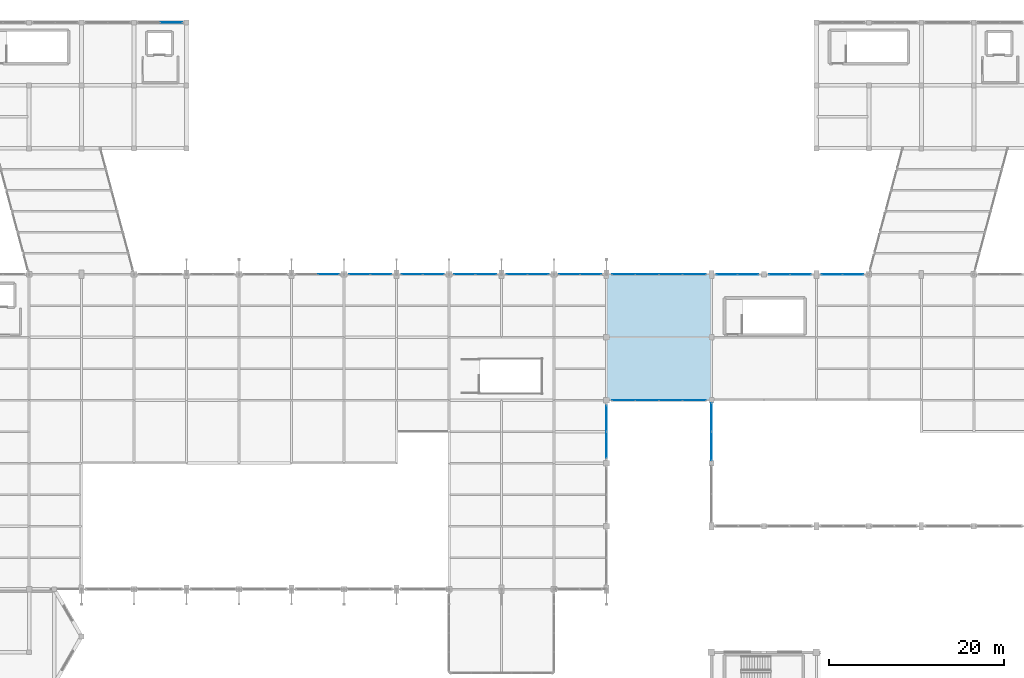
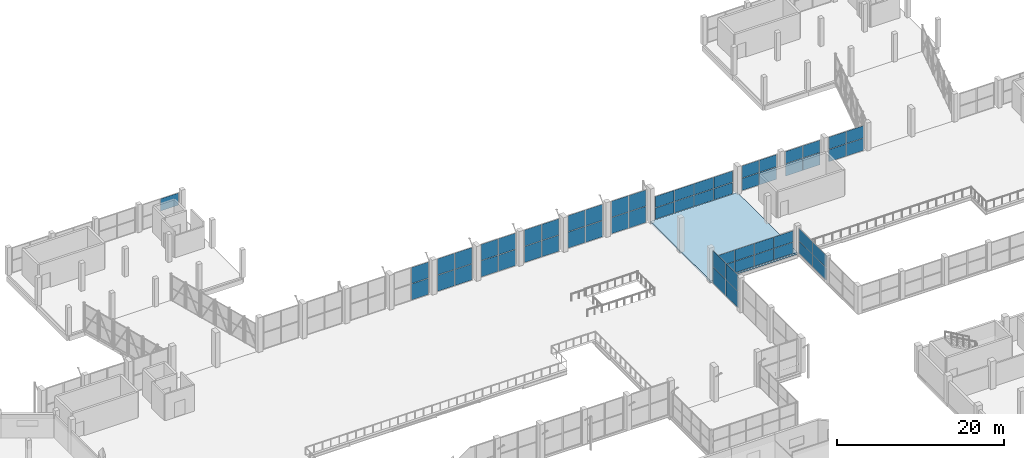
# One storey, part 97 of 127: 59 plates, 1 slab, 14 elements without a shape of their own.
"""IFC4 building model written with IfcOpenShell, lengths in metres."""

from ifc_helpers import new_model, si_unit, direction, frame, origin, origin_2d, place, context, subcontext, project, spatial, polyline, rectangle, outline, extrude, material, layer, layer_set, type_object, element, aggregate, save


model = new_model("IFC4")

# Units and contexts
model_context = context("Model", 3, precision=1e-05, world=origin(), true_north=direction((0.0, 1.0)))
body_context = subcontext(model_context, "Body", "Model", "MODEL_VIEW")
ifc_project = project(units=[si_unit("LENGTHUNIT", "METRE"), si_unit("AREAUNIT", "SQUARE_METRE"), si_unit("VOLUMEUNIT", "CUBIC_METRE"), si_unit("PLANEANGLEUNIT", "RADIAN"), si_unit("MASSUNIT", "GRAM", prefix="KILO")], contexts=[model_context])

# Site, building, storey
site_placement = place(None, origin())
site = spatial("IfcSite", under=ifc_project, at=site_placement, CompositionType="ELEMENT")
building_placement = place(site_placement, origin())
building = spatial("IfcBuilding", under=site, at=building_placement, Name="Dunvalen Ferry Terminal", CompositionType="ELEMENT")
storey_placement = place(building_placement, frame((0.0, 0.0, 5.760009765625)))
storey = spatial("IfcBuildingStorey", under=building, at=storey_placement, Name="L01", CompositionType="ELEMENT", Elevation=5.760009765625)

# Curtain wall, plates
ifc_material_1 = material(Name="Anodised marine aluminium and solar-control glazing", Category="aluminium")
ifc_layer_1 = layer(ifc_material_1, 0.219970703125, Name="Anodised marine aluminium and solar-control glazing")
ifc_layer_set_1 = layer_set([ifc_layer_1], Name="Anodised marine aluminium and solar-control glazing")
curtain_wall_type_1 = type_object("IfcCurtainWallType", Name="ENV-CW-SYS-02", PredefinedType="NOTDEFINED", material=ifc_layer_set_1)
curtain_wall_1_placement = place(storey_placement, origin())
curtain_wall_1 = element("IfcCurtainWall", 1, at=curtain_wall_1_placement, inside=storey, type_object=curtain_wall_type_1, Name="L01 Curtain Wall CW-V1N-L01-09", PredefinedType="NOTDEFINED")
ifc_material_2 = material(Name="Low-E solar-control laminated double glazing", Category="glass")
ifc_layer_2 = layer(ifc_material_2, 0.031982421875, Name="Low-E solar-control laminated double glazing")
ifc_layer_set_2 = layer_set([ifc_layer_2], Name="Low-E solar-control laminated double glazing")
plate_type_1 = type_object("IfcPlateType", Name="ENV-CW-PNL-2", PredefinedType="CURTAIN_PANEL", material=ifc_layer_set_2)
plate_1_placement = place(storey_placement, frame((64.205078125, 86.39990234375, 0.06005859375), z_axis=(0.0, 0.0, 1.0), x_axis=(1.0, 0.0, 0.0)))
plate_1 = element("IfcPlate", 2, at=plate_1_placement, type_object=plate_type_1, Name="CW-02 panel 2.1", PredefinedType="CURTAIN_PANEL", context=body_context, shape_type="SweptSolid", body=[
    extrude(rectangle(XDim=2.35009765625, YDim=0.031982421875, at=origin_2d()), origin(), (0.0, 0.0, 1.0), 2.340087890625),
])
plate_2_placement = place(storey_placement, frame((64.205078125, 86.39990234375, 2.4599609375), z_axis=(0.0, 0.0, 1.0), x_axis=(1.0, 0.0, 0.0)))
plate_2 = element("IfcPlate", 3, at=plate_2_placement, type_object=plate_type_1, Name="CW-02 panel 2.2", PredefinedType="CURTAIN_PANEL", context=body_context, shape_type="SweptSolid", body=[
    extrude(rectangle(XDim=2.35009765625, YDim=0.031982421875, at=origin_2d()), origin(), (0.0, 0.0, 1.0), 2.340087890625),
])
aggregate(curtain_wall_1, [plate_1, plate_2])

curtain_wall_2_placement = place(storey_placement, origin())
curtain_wall_2 = element("IfcCurtainWall", 4, at=curtain_wall_2_placement, inside=storey, type_object=curtain_wall_type_1, Name="L01 Curtain Wall CW-V1N-L01-10", PredefinedType="NOTDEFINED")
plate_3_placement = place(storey_placement, frame((67.794921875, 86.39990234375, 0.06005859375), z_axis=(0.0, 0.0, 1.0), x_axis=(1.0, 0.0, 0.0)))
plate_3 = element("IfcPlate", 5, at=plate_3_placement, type_object=plate_type_1, Name="CW-02 panel 1.1", PredefinedType="CURTAIN_PANEL", context=body_context, shape_type="SweptSolid", body=[
    extrude(rectangle(XDim=2.35009765625, YDim=0.031982421875, at=origin_2d()), origin(), (0.0, 0.0, 1.0), 2.340087890625),
])
plate_4_placement = place(storey_placement, frame((67.794921875, 86.39990234375, 2.4599609375), z_axis=(0.0, 0.0, 1.0), x_axis=(1.0, 0.0, 0.0)))
plate_4 = element("IfcPlate", 6, at=plate_4_placement, type_object=plate_type_1, Name="CW-02 panel 1.2", PredefinedType="CURTAIN_PANEL", context=body_context, shape_type="SweptSolid", body=[
    extrude(rectangle(XDim=2.35009765625, YDim=0.031982421875, at=origin_2d()), origin(), (0.0, 0.0, 1.0), 2.340087890625),
])
plate_5_placement = place(storey_placement, frame((70.205078125, 86.39990234375, 0.06005859375), z_axis=(0.0, 0.0, 1.0), x_axis=(1.0, 0.0, 0.0)))
plate_5 = element("IfcPlate", 7, at=plate_5_placement, type_object=plate_type_1, Name="CW-02 panel 2.1", PredefinedType="CURTAIN_PANEL", context=body_context, shape_type="SweptSolid", body=[
    extrude(rectangle(XDim=2.35009765625, YDim=0.031982421875, at=origin_2d()), origin(), (0.0, 0.0, 1.0), 2.340087890625),
])
plate_6_placement = place(storey_placement, frame((70.205078125, 86.39990234375, 2.4599609375), z_axis=(0.0, 0.0, 1.0), x_axis=(1.0, 0.0, 0.0)))
plate_6 = element("IfcPlate", 8, at=plate_6_placement, type_object=plate_type_1, Name="CW-02 panel 2.2", PredefinedType="CURTAIN_PANEL", context=body_context, shape_type="SweptSolid", body=[
    extrude(rectangle(XDim=2.35009765625, YDim=0.031982421875, at=origin_2d()), origin(), (0.0, 0.0, 1.0), 2.340087890625),
])
aggregate(curtain_wall_2, [plate_3, plate_4, plate_5, plate_6])

curtain_wall_3_placement = place(storey_placement, origin())
curtain_wall_3 = element("IfcCurtainWall", 9, at=curtain_wall_3_placement, inside=storey, type_object=curtain_wall_type_1, Name="L01 Curtain Wall CW-V1N-L01-11", PredefinedType="NOTDEFINED")
plate_7_placement = place(storey_placement, frame((73.794921875, 86.39990234375, 0.06005859375), z_axis=(0.0, 0.0, 1.0), x_axis=(1.0, 0.0, 0.0)))
plate_7 = element("IfcPlate", 10, at=plate_7_placement, type_object=plate_type_1, Name="CW-02 panel 1.1", PredefinedType="CURTAIN_PANEL", context=body_context, shape_type="SweptSolid", body=[
    extrude(rectangle(XDim=2.35009765625, YDim=0.031982421875, at=origin_2d()), origin(), (0.0, 0.0, 1.0), 2.340087890625),
])
plate_8_placement = place(storey_placement, frame((73.794921875, 86.39990234375, 2.4599609375), z_axis=(0.0, 0.0, 1.0), x_axis=(1.0, 0.0, 0.0)))
plate_8 = element("IfcPlate", 11, at=plate_8_placement, type_object=plate_type_1, Name="CW-02 panel 1.2", PredefinedType="CURTAIN_PANEL", context=body_context, shape_type="SweptSolid", body=[
    extrude(rectangle(XDim=2.35009765625, YDim=0.031982421875, at=origin_2d()), origin(), (0.0, 0.0, 1.0), 2.340087890625),
])
plate_9_placement = place(storey_placement, frame((76.205078125, 86.39990234375, 0.06005859375), z_axis=(0.0, 0.0, 1.0), x_axis=(1.0, 0.0, 0.0)))
plate_9 = element("IfcPlate", 12, at=plate_9_placement, type_object=plate_type_1, Name="CW-02 panel 2.1", PredefinedType="CURTAIN_PANEL", context=body_context, shape_type="SweptSolid", body=[
    extrude(rectangle(XDim=2.35009765625, YDim=0.031982421875, at=origin_2d()), origin(), (0.0, 0.0, 1.0), 2.340087890625),
])
plate_10_placement = place(storey_placement, frame((76.205078125, 86.39990234375, 2.4599609375), z_axis=(0.0, 0.0, 1.0), x_axis=(1.0, 0.0, 0.0)))
plate_10 = element("IfcPlate", 13, at=plate_10_placement, type_object=plate_type_1, Name="CW-02 panel 2.2", PredefinedType="CURTAIN_PANEL", context=body_context, shape_type="SweptSolid", body=[
    extrude(rectangle(XDim=2.35009765625, YDim=0.031982421875, at=origin_2d()), origin(), (0.0, 0.0, 1.0), 2.340087890625),
])
aggregate(curtain_wall_3, [plate_7, plate_8, plate_9, plate_10])

curtain_wall_4_placement = place(storey_placement, origin())
curtain_wall_4 = element("IfcCurtainWall", 14, at=curtain_wall_4_placement, inside=storey, type_object=curtain_wall_type_1, Name="L01 Curtain Wall CW-V1N-L01-12", PredefinedType="NOTDEFINED")
plate_11_placement = place(storey_placement, frame((79.794921875, 86.39990234375, 0.06005859375), z_axis=(0.0, 0.0, 1.0), x_axis=(1.0, 0.0, 0.0)))
plate_11 = element("IfcPlate", 15, at=plate_11_placement, type_object=plate_type_1, Name="CW-02 panel 1.1", PredefinedType="CURTAIN_PANEL", context=body_context, shape_type="SweptSolid", body=[
    extrude(rectangle(XDim=2.35009765625, YDim=0.031982421875, at=origin_2d()), origin(), (0.0, 0.0, 1.0), 2.340087890625),
])
plate_12_placement = place(storey_placement, frame((79.794921875, 86.39990234375, 2.4599609375), z_axis=(0.0, 0.0, 1.0), x_axis=(1.0, 0.0, 0.0)))
plate_12 = element("IfcPlate", 16, at=plate_12_placement, type_object=plate_type_1, Name="CW-02 panel 1.2", PredefinedType="CURTAIN_PANEL", context=body_context, shape_type="SweptSolid", body=[
    extrude(rectangle(XDim=2.35009765625, YDim=0.031982421875, at=origin_2d()), origin(), (0.0, 0.0, 1.0), 2.340087890625),
])
plate_13_placement = place(storey_placement, frame((82.205078125, 86.39990234375, 0.06005859375), z_axis=(0.0, 0.0, 1.0), x_axis=(1.0, 0.0, 0.0)))
plate_13 = element("IfcPlate", 17, at=plate_13_placement, type_object=plate_type_1, Name="CW-02 panel 2.1", PredefinedType="CURTAIN_PANEL", context=body_context, shape_type="SweptSolid", body=[
    extrude(rectangle(XDim=2.35009765625, YDim=0.031982421875, at=origin_2d()), origin(), (0.0, 0.0, 1.0), 2.340087890625),
])
plate_14_placement = place(storey_placement, frame((82.205078125, 86.39990234375, 2.4599609375), z_axis=(0.0, 0.0, 1.0), x_axis=(1.0, 0.0, 0.0)))
plate_14 = element("IfcPlate", 18, at=plate_14_placement, type_object=plate_type_1, Name="CW-02 panel 2.2", PredefinedType="CURTAIN_PANEL", context=body_context, shape_type="SweptSolid", body=[
    extrude(rectangle(XDim=2.35009765625, YDim=0.031982421875, at=origin_2d()), origin(), (0.0, 0.0, 1.0), 2.340087890625),
])
aggregate(curtain_wall_4, [plate_11, plate_12, plate_13, plate_14])

curtain_wall_5_placement = place(storey_placement, origin())
curtain_wall_5 = element("IfcCurtainWall", 19, at=curtain_wall_5_placement, inside=storey, type_object=curtain_wall_type_1, Name="L01 Curtain Wall CW-V1N-L01-13", PredefinedType="NOTDEFINED")
plate_15_placement = place(storey_placement, frame((85.794921875, 86.39990234375, 0.06005859375), z_axis=(0.0, 0.0, 1.0), x_axis=(1.0, 0.0, 0.0)))
plate_15 = element("IfcPlate", 20, at=plate_15_placement, type_object=plate_type_1, Name="CW-02 panel 1.1", PredefinedType="CURTAIN_PANEL", context=body_context, shape_type="SweptSolid", body=[
    extrude(rectangle(XDim=2.35009765625, YDim=0.031982421875, at=origin_2d()), origin(), (0.0, 0.0, 1.0), 2.340087890625),
])
plate_16_placement = place(storey_placement, frame((85.794921875, 86.39990234375, 2.4599609375), z_axis=(0.0, 0.0, 1.0), x_axis=(1.0, 0.0, 0.0)))
plate_16 = element("IfcPlate", 21, at=plate_16_placement, type_object=plate_type_1, Name="CW-02 panel 1.2", PredefinedType="CURTAIN_PANEL", context=body_context, shape_type="SweptSolid", body=[
    extrude(rectangle(XDim=2.35009765625, YDim=0.031982421875, at=origin_2d()), origin(), (0.0, 0.0, 1.0), 2.340087890625),
])
plate_17_placement = place(storey_placement, frame((88.205078125, 86.39990234375, 0.06005859375), z_axis=(0.0, 0.0, 1.0), x_axis=(1.0, 0.0, 0.0)))
plate_17 = element("IfcPlate", 22, at=plate_17_placement, type_object=plate_type_1, Name="CW-02 panel 2.1", PredefinedType="CURTAIN_PANEL", context=body_context, shape_type="SweptSolid", body=[
    extrude(rectangle(XDim=2.35009765625, YDim=0.031982421875, at=origin_2d()), origin(), (0.0, 0.0, 1.0), 2.340087890625),
])
plate_18_placement = place(storey_placement, frame((88.205078125, 86.39990234375, 2.4599609375), z_axis=(0.0, 0.0, 1.0), x_axis=(1.0, 0.0, 0.0)))
plate_18 = element("IfcPlate", 23, at=plate_18_placement, type_object=plate_type_1, Name="CW-02 panel 2.2", PredefinedType="CURTAIN_PANEL", context=body_context, shape_type="SweptSolid", body=[
    extrude(rectangle(XDim=2.35009765625, YDim=0.031982421875, at=origin_2d()), origin(), (0.0, 0.0, 1.0), 2.340087890625),
])
aggregate(curtain_wall_5, [plate_15, plate_16, plate_17, plate_18])

curtain_wall_6_placement = place(storey_placement, origin())
curtain_wall_6 = element("IfcCurtainWall", 24, at=curtain_wall_6_placement, inside=storey, type_object=curtain_wall_type_1, Name="L01 Curtain Wall CW-V1N-L01-14", PredefinedType="NOTDEFINED")
plate_19_placement = place(storey_placement, frame((91.794921875, 86.39990234375, 0.06005859375), z_axis=(0.0, 0.0, 1.0), x_axis=(1.0, 0.0, 0.0)))
plate_19 = element("IfcPlate", 25, at=plate_19_placement, type_object=plate_type_1, Name="CW-02 panel 1.1", PredefinedType="CURTAIN_PANEL", context=body_context, shape_type="SweptSolid", body=[
    extrude(rectangle(XDim=2.35009765625, YDim=0.031982421875, at=origin_2d()), origin(), (0.0, 0.0, 1.0), 2.340087890625),
])
plate_20_placement = place(storey_placement, frame((91.794921875, 86.39990234375, 2.4599609375), z_axis=(0.0, 0.0, 1.0), x_axis=(1.0, 0.0, 0.0)))
plate_20 = element("IfcPlate", 26, at=plate_20_placement, type_object=plate_type_1, Name="CW-02 panel 1.2", PredefinedType="CURTAIN_PANEL", context=body_context, shape_type="SweptSolid", body=[
    extrude(rectangle(XDim=2.35009765625, YDim=0.031982421875, at=origin_2d()), origin(), (0.0, 0.0, 1.0), 2.340087890625),
])
plate_21_placement = place(storey_placement, frame((94.205078125, 86.39990234375, 0.06005859375), z_axis=(0.0, 0.0, 1.0), x_axis=(1.0, 0.0, 0.0)))
plate_21 = element("IfcPlate", 27, at=plate_21_placement, type_object=plate_type_1, Name="CW-02 panel 2.1", PredefinedType="CURTAIN_PANEL", context=body_context, shape_type="SweptSolid", body=[
    extrude(rectangle(XDim=2.35009765625, YDim=0.031982421875, at=origin_2d()), origin(), (0.0, 0.0, 1.0), 2.340087890625),
])
plate_22_placement = place(storey_placement, frame((94.205078125, 86.39990234375, 2.4599609375), z_axis=(0.0, 0.0, 1.0), x_axis=(1.0, 0.0, 0.0)))
plate_22 = element("IfcPlate", 28, at=plate_22_placement, type_object=plate_type_1, Name="CW-02 panel 2.2", PredefinedType="CURTAIN_PANEL", context=body_context, shape_type="SweptSolid", body=[
    extrude(rectangle(XDim=2.35009765625, YDim=0.031982421875, at=origin_2d()), origin(), (0.0, 0.0, 1.0), 2.340087890625),
])
aggregate(curtain_wall_6, [plate_19, plate_20, plate_21, plate_22])

ifc_layer_3 = layer(ifc_material_1, 0.219970703125, Name="Anodised marine aluminium and solar-control glazing")
ifc_layer_set_3 = layer_set([ifc_layer_3], Name="Anodised marine aluminium and solar-control glazing")
curtain_wall_type_2 = type_object("IfcCurtainWallType", Name="ENV-CW-SYS-04", PredefinedType="NOTDEFINED", material=ifc_layer_set_3)
curtain_wall_7_placement = place(storey_placement, origin())
curtain_wall_7 = element("IfcCurtainWall", 29, at=curtain_wall_7_placement, inside=storey, type_object=curtain_wall_type_2, Name="L01 Curtain Wall CW-V1E-L01-03", PredefinedType="NOTDEFINED")
plate_23_placement = place(storey_placement, frame((96.0, 66.89501953125, 0.06005859375), z_axis=(0.0, 0.0, 1.0), x_axis=(0.0, 1.0, 0.0)))
plate_23 = element("IfcPlate", 30, at=plate_23_placement, type_object=plate_type_1, Name="CW-04 panel 1.1", PredefinedType="CURTAIN_PANEL", context=body_context, shape_type="SweptSolid", body=[
    extrude(rectangle(XDim=2.949951171875, YDim=0.031982421875, at=origin_2d()), origin(), (0.0, 0.0, 1.0), 2.340087890625),
])
plate_24_placement = place(storey_placement, frame((96.0, 66.89501953125, 2.4599609375), z_axis=(0.0, 0.0, 1.0), x_axis=(0.0, 1.0, 0.0)))
plate_24 = element("IfcPlate", 31, at=plate_24_placement, type_object=plate_type_1, Name="CW-04 panel 1.2", PredefinedType="CURTAIN_PANEL", context=body_context, shape_type="SweptSolid", body=[
    extrude(rectangle(XDim=2.949951171875, YDim=0.031982421875, at=origin_2d()), origin(), (0.0, 0.0, 1.0), 2.340087890625),
])
plate_25_placement = place(storey_placement, frame((96.0, 69.905029296875, 0.06005859375), z_axis=(0.0, 0.0, 1.0), x_axis=(0.0, 1.0, 0.0)))
plate_25 = element("IfcPlate", 32, at=plate_25_placement, type_object=plate_type_1, Name="CW-04 panel 2.1", PredefinedType="CURTAIN_PANEL", context=body_context, shape_type="SweptSolid", body=[
    extrude(rectangle(XDim=2.949951171875, YDim=0.031982421875, at=origin_2d()), origin(), (0.0, 0.0, 1.0), 2.340087890625),
])
plate_26_placement = place(storey_placement, frame((96.0, 69.905029296875, 2.4599609375), z_axis=(0.0, 0.0, 1.0), x_axis=(0.0, 1.0, 0.0)))
plate_26 = element("IfcPlate", 33, at=plate_26_placement, type_object=plate_type_1, Name="CW-04 panel 2.2", PredefinedType="CURTAIN_PANEL", context=body_context, shape_type="SweptSolid", body=[
    extrude(rectangle(XDim=2.949951171875, YDim=0.031982421875, at=origin_2d()), origin(), (0.0, 0.0, 1.0), 2.340087890625),
])
aggregate(curtain_wall_7, [plate_23, plate_24, plate_25, plate_26])

curtain_wall_8_placement = place(storey_placement, origin())
curtain_wall_8 = element("IfcCurtainWall", 34, at=curtain_wall_8_placement, inside=storey, type_object=curtain_wall_type_2, Name="L01 Curtain Wall CW-V2W-L01-2", PredefinedType="NOTDEFINED")
plate_27_placement = place(storey_placement, frame((108.0, 66.764892578125, 0.080078125), z_axis=(0.0, 0.0, 1.0), x_axis=(0.0, 1.0, 0.0)))
plate_27 = element("IfcPlate", 35, at=plate_27_placement, type_object=plate_type_1, Name="CW-04 panel 1.1", PredefinedType="CURTAIN_PANEL", context=body_context, shape_type="SweptSolid", body=[
    extrude(rectangle(XDim=3.2099609375, YDim=0.031982421875, at=origin_2d()), origin(), (0.0, 0.0, 1.0), 1.780029296875),
])
plate_28_placement = place(storey_placement, frame((108.0, 66.764892578125, 1.919921875), z_axis=(0.0, 0.0, 1.0), x_axis=(0.0, 1.0, 0.0)))
plate_28 = element("IfcPlate", 36, at=plate_28_placement, type_object=plate_type_1, Name="CW-04 panel 1.2", PredefinedType="CURTAIN_PANEL", context=body_context, shape_type="SweptSolid", body=[
    extrude(rectangle(XDim=3.2099609375, YDim=0.031982421875, at=origin_2d()), origin(), (0.0, 0.0, 1.0), 1.780029296875),
])
plate_29_placement = place(storey_placement, frame((108.0, 70.034912109375, 0.080078125), z_axis=(0.0, 0.0, 1.0), x_axis=(0.0, 1.0, 0.0)))
plate_29 = element("IfcPlate", 37, at=plate_29_placement, type_object=plate_type_1, Name="CW-04 panel 2.1", PredefinedType="CURTAIN_PANEL", context=body_context, shape_type="SweptSolid", body=[
    extrude(rectangle(XDim=3.2099609375, YDim=0.031982421875, at=origin_2d()), origin(), (0.0, 0.0, 1.0), 1.780029296875),
])
plate_30_placement = place(storey_placement, frame((108.0, 70.034912109375, 1.919921875), z_axis=(0.0, 0.0, 1.0), x_axis=(0.0, 1.0, 0.0)))
plate_30 = element("IfcPlate", 38, at=plate_30_placement, type_object=plate_type_1, Name="CW-04 panel 2.2", PredefinedType="CURTAIN_PANEL", context=body_context, shape_type="SweptSolid", body=[
    extrude(rectangle(XDim=3.2099609375, YDim=0.031982421875, at=origin_2d()), origin(), (0.0, 0.0, 1.0), 1.780029296875),
])
aggregate(curtain_wall_8, [plate_27, plate_28, plate_29, plate_30])

# Curtain wall, plate
ifc_layer_4 = layer(ifc_material_1, 0.159912109375, Name="Anodised marine aluminium and solar-control glazing")
ifc_layer_set_4 = layer_set([ifc_layer_4], Name="Anodised marine aluminium and solar-control glazing")
curtain_wall_type_3 = type_object("IfcCurtainWallType", Name="ENV-CW-SYS-08", PredefinedType="NOTDEFINED", material=ifc_layer_set_4)
curtain_wall_9_placement = place(storey_placement, origin())
curtain_wall_9 = element("IfcCurtainWall", 39, at=curtain_wall_9_placement, inside=storey, type_object=curtain_wall_type_3, Name="L01 Curtain Wall CW-BRT1-N-L01-4", PredefinedType="NOTDEFINED")
plate_31_placement = place(storey_placement, frame((46.260009765625, 115.199951171875, 1.889892578125), z_axis=(0.0, 0.0, 1.0), x_axis=(1.0, 0.0, 0.0)))
plate_31 = element("IfcPlate", 40, at=plate_31_placement, type_object=plate_type_1, Name="CW-08 panel 2.2", PredefinedType="CURTAIN_PANEL", context=body_context, shape_type="SweptSolid", body=[
    extrude(rectangle(XDim=2.4599609375, YDim=0.031982421875, at=origin_2d()), origin(), (0.0, 0.0, 1.0), 1.77001953125),
])
aggregate(curtain_wall_9, [plate_31])

# Curtain wall, plates
ifc_layer_5 = layer(ifc_material_1, 0.159912109375, Name="Anodised marine aluminium and solar-control glazing")
ifc_layer_set_5 = layer_set([ifc_layer_5], Name="Anodised marine aluminium and solar-control glazing")
curtain_wall_type_4 = type_object("IfcCurtainWallType", Name="ENV-CW-SYS-09", PredefinedType="NOTDEFINED", material=ifc_layer_set_5)
curtain_wall_10_placement = place(storey_placement, origin())
curtain_wall_10 = element("IfcCurtainWall", 41, at=curtain_wall_10_placement, inside=storey, type_object=curtain_wall_type_4, Name="L01 Curtain Wall CW-LNK12-1", PredefinedType="NOTDEFINED")
ifc_layer_6 = layer(ifc_material_2, 0.035888671875, Name="Low-E solar-control laminated double glazing")
ifc_layer_set_6 = layer_set([ifc_layer_6], Name="Low-E solar-control laminated double glazing")
plate_type_2 = type_object("IfcPlateType", Name="ENV-CW-PNL-3", PredefinedType="CURTAIN_PANEL", material=ifc_layer_set_6)
plate_32_placement = place(storey_placement, frame((97.965087890625, 72.0, 0.06005859375), z_axis=(0.0, 0.0, 1.0), x_axis=(1.0, 0.0, 0.0)))
plate_32 = element("IfcPlate", 42, at=plate_32_placement, type_object=plate_type_2, Name="CW-09 panel 1.1", PredefinedType="CURTAIN_PANEL", context=body_context, shape_type="SweptSolid", body=[
    extrude(rectangle(XDim=2.610107421875, YDim=0.035888671875, at=origin_2d()), origin(), (0.0, 0.0, 1.0), 1.6298828125),
])
plate_33_placement = place(storey_placement, frame((97.965087890625, 72.0, 1.75), z_axis=(0.0, 0.0, 1.0), x_axis=(1.0, 0.0, 0.0)))
plate_33 = element("IfcPlate", 43, at=plate_33_placement, type_object=plate_type_2, Name="CW-09 panel 1.2", PredefinedType="CURTAIN_PANEL", context=body_context, shape_type="SweptSolid", body=[
    extrude(rectangle(XDim=2.610107421875, YDim=0.035888671875, at=origin_2d()), origin(), (0.0, 0.0, 1.0), 1.6298828125),
])
plate_34_placement = place(storey_placement, frame((100.64990234375, 72.0, 0.06005859375), z_axis=(0.0, 0.0, 1.0), x_axis=(1.0, 0.0, 0.0)))
plate_34 = element("IfcPlate", 44, at=plate_34_placement, type_object=plate_type_2, Name="CW-09 panel 2.1", PredefinedType="CURTAIN_PANEL", context=body_context, shape_type="SweptSolid", body=[
    extrude(rectangle(XDim=2.639892578125, YDim=0.035888671875, at=origin_2d()), origin(), (0.0, 0.0, 1.0), 1.6298828125),
])
plate_35_placement = place(storey_placement, frame((100.64990234375, 72.0, 1.75), z_axis=(0.0, 0.0, 1.0), x_axis=(1.0, 0.0, 0.0)))
plate_35 = element("IfcPlate", 45, at=plate_35_placement, type_object=plate_type_2, Name="CW-09 panel 2.2", PredefinedType="CURTAIN_PANEL", context=body_context, shape_type="SweptSolid", body=[
    extrude(rectangle(XDim=2.639892578125, YDim=0.035888671875, at=origin_2d()), origin(), (0.0, 0.0, 1.0), 1.6298828125),
])
plate_36_placement = place(storey_placement, frame((103.35009765625, 72.0, 0.06005859375), z_axis=(0.0, 0.0, 1.0), x_axis=(1.0, 0.0, 0.0)))
plate_36 = element("IfcPlate", 46, at=plate_36_placement, type_object=plate_type_2, Name="CW-09 panel 3.1", PredefinedType="CURTAIN_PANEL", context=body_context, shape_type="SweptSolid", body=[
    extrude(rectangle(XDim=2.639892578125, YDim=0.035888671875, at=origin_2d()), origin(), (0.0, 0.0, 1.0), 1.6298828125),
])
plate_37_placement = place(storey_placement, frame((103.35009765625, 72.0, 1.75), z_axis=(0.0, 0.0, 1.0), x_axis=(1.0, 0.0, 0.0)))
plate_37 = element("IfcPlate", 47, at=plate_37_placement, type_object=plate_type_2, Name="CW-09 panel 3.2", PredefinedType="CURTAIN_PANEL", context=body_context, shape_type="SweptSolid", body=[
    extrude(rectangle(XDim=2.639892578125, YDim=0.035888671875, at=origin_2d()), origin(), (0.0, 0.0, 1.0), 1.6298828125),
])
plate_38_placement = place(storey_placement, frame((106.034912109375, 72.0, 0.06005859375), z_axis=(0.0, 0.0, 1.0), x_axis=(1.0, 0.0, 0.0)))
plate_38 = element("IfcPlate", 48, at=plate_38_placement, type_object=plate_type_2, Name="CW-09 panel 4.1", PredefinedType="CURTAIN_PANEL", context=body_context, shape_type="SweptSolid", body=[
    extrude(rectangle(XDim=2.610107421875, YDim=0.035888671875, at=origin_2d()), origin(), (0.0, 0.0, 1.0), 1.6298828125),
])
plate_39_placement = place(storey_placement, frame((106.034912109375, 72.0, 1.75), z_axis=(0.0, 0.0, 1.0), x_axis=(1.0, 0.0, 0.0)))
plate_39 = element("IfcPlate", 49, at=plate_39_placement, type_object=plate_type_2, Name="CW-09 panel 4.2", PredefinedType="CURTAIN_PANEL", context=body_context, shape_type="SweptSolid", body=[
    extrude(rectangle(XDim=2.610107421875, YDim=0.035888671875, at=origin_2d()), origin(), (0.0, 0.0, 1.0), 1.6298828125),
])
aggregate(curtain_wall_10, [plate_32, plate_33, plate_34, plate_35, plate_36, plate_37, plate_38, plate_39])

curtain_wall_11_placement = place(storey_placement, origin())
curtain_wall_11 = element("IfcCurtainWall", 50, at=curtain_wall_11_placement, inside=storey, type_object=curtain_wall_type_4, Name="L01 Curtain Wall CW-LNK12-2", PredefinedType="NOTDEFINED")
plate_40_placement = place(storey_placement, frame((97.965087890625, 86.39990234375, 0.06005859375), z_axis=(0.0, 0.0, 1.0), x_axis=(1.0, 0.0, 0.0)))
plate_40 = element("IfcPlate", 51, at=plate_40_placement, type_object=plate_type_2, Name="CW-09 panel 1.1", PredefinedType="CURTAIN_PANEL", context=body_context, shape_type="SweptSolid", body=[
    extrude(rectangle(XDim=2.610107421875, YDim=0.035888671875, at=origin_2d()), origin(), (0.0, 0.0, 1.0), 1.6298828125),
])
plate_41_placement = place(storey_placement, frame((97.965087890625, 86.39990234375, 1.75), z_axis=(0.0, 0.0, 1.0), x_axis=(1.0, 0.0, 0.0)))
plate_41 = element("IfcPlate", 52, at=plate_41_placement, type_object=plate_type_2, Name="CW-09 panel 1.2", PredefinedType="CURTAIN_PANEL", context=body_context, shape_type="SweptSolid", body=[
    extrude(rectangle(XDim=2.610107421875, YDim=0.035888671875, at=origin_2d()), origin(), (0.0, 0.0, 1.0), 1.6298828125),
])
plate_42_placement = place(storey_placement, frame((100.64990234375, 86.39990234375, 0.06005859375), z_axis=(0.0, 0.0, 1.0), x_axis=(1.0, 0.0, 0.0)))
plate_42 = element("IfcPlate", 53, at=plate_42_placement, type_object=plate_type_2, Name="CW-09 panel 2.1", PredefinedType="CURTAIN_PANEL", context=body_context, shape_type="SweptSolid", body=[
    extrude(rectangle(XDim=2.639892578125, YDim=0.035888671875, at=origin_2d()), origin(), (0.0, 0.0, 1.0), 1.6298828125),
])
plate_43_placement = place(storey_placement, frame((100.64990234375, 86.39990234375, 1.75), z_axis=(0.0, 0.0, 1.0), x_axis=(1.0, 0.0, 0.0)))
plate_43 = element("IfcPlate", 54, at=plate_43_placement, type_object=plate_type_2, Name="CW-09 panel 2.2", PredefinedType="CURTAIN_PANEL", context=body_context, shape_type="SweptSolid", body=[
    extrude(rectangle(XDim=2.639892578125, YDim=0.035888671875, at=origin_2d()), origin(), (0.0, 0.0, 1.0), 1.6298828125),
])
plate_44_placement = place(storey_placement, frame((103.35009765625, 86.39990234375, 0.06005859375), z_axis=(0.0, 0.0, 1.0), x_axis=(1.0, 0.0, 0.0)))
plate_44 = element("IfcPlate", 55, at=plate_44_placement, type_object=plate_type_2, Name="CW-09 panel 3.1", PredefinedType="CURTAIN_PANEL", context=body_context, shape_type="SweptSolid", body=[
    extrude(rectangle(XDim=2.639892578125, YDim=0.035888671875, at=origin_2d()), origin(), (0.0, 0.0, 1.0), 1.6298828125),
])
plate_45_placement = place(storey_placement, frame((103.35009765625, 86.39990234375, 1.75), z_axis=(0.0, 0.0, 1.0), x_axis=(1.0, 0.0, 0.0)))
plate_45 = element("IfcPlate", 56, at=plate_45_placement, type_object=plate_type_2, Name="CW-09 panel 3.2", PredefinedType="CURTAIN_PANEL", context=body_context, shape_type="SweptSolid", body=[
    extrude(rectangle(XDim=2.639892578125, YDim=0.035888671875, at=origin_2d()), origin(), (0.0, 0.0, 1.0), 1.6298828125),
])
plate_46_placement = place(storey_placement, frame((106.034912109375, 86.39990234375, 0.06005859375), z_axis=(0.0, 0.0, 1.0), x_axis=(1.0, 0.0, 0.0)))
plate_46 = element("IfcPlate", 57, at=plate_46_placement, type_object=plate_type_2, Name="CW-09 panel 4.1", PredefinedType="CURTAIN_PANEL", context=body_context, shape_type="SweptSolid", body=[
    extrude(rectangle(XDim=2.610107421875, YDim=0.035888671875, at=origin_2d()), origin(), (0.0, 0.0, 1.0), 1.6298828125),
])
plate_47_placement = place(storey_placement, frame((106.034912109375, 86.39990234375, 1.75), z_axis=(0.0, 0.0, 1.0), x_axis=(1.0, 0.0, 0.0)))
plate_47 = element("IfcPlate", 58, at=plate_47_placement, type_object=plate_type_2, Name="CW-09 panel 4.2", PredefinedType="CURTAIN_PANEL", context=body_context, shape_type="SweptSolid", body=[
    extrude(rectangle(XDim=2.610107421875, YDim=0.035888671875, at=origin_2d()), origin(), (0.0, 0.0, 1.0), 1.6298828125),
])
aggregate(curtain_wall_11, [plate_40, plate_41, plate_42, plate_43, plate_44, plate_45, plate_46, plate_47])

curtain_wall_12_placement = place(storey_placement, origin())
curtain_wall_12 = element("IfcCurtainWall", 59, at=curtain_wall_12_placement, inside=storey, type_object=curtain_wall_type_1, Name="L01 Curtain Wall CW-V2N-L01-01", PredefinedType="NOTDEFINED")
ifc_layer_7 = layer(ifc_material_2, 0.048095703125, Name="Low-E solar-control laminated double glazing")
ifc_layer_set_7 = layer_set([ifc_layer_7], Name="Low-E solar-control laminated double glazing")
plate_type_3 = type_object("IfcPlateType", Name="ENV-CW-PNL-6", PredefinedType="CURTAIN_PANEL", material=ifc_layer_set_7)
plate_48_placement = place(storey_placement, frame((109.794921875, 86.39990234375, 0.06005859375), z_axis=(0.0, 0.0, 1.0), x_axis=(1.0, 0.0, 0.0)))
plate_48 = element("IfcPlate", 60, at=plate_48_placement, type_object=plate_type_3, Name="CW-02 panel 1.1", PredefinedType="CURTAIN_PANEL", context=body_context, shape_type="SweptSolid", body=[
    extrude(rectangle(XDim=2.35009765625, YDim=0.048095703125, at=origin_2d()), origin(), (0.0, 0.0, 1.0), 1.77001953125),
])
plate_49_placement = place(storey_placement, frame((109.794921875, 86.39990234375, 1.889892578125), z_axis=(0.0, 0.0, 1.0), x_axis=(1.0, 0.0, 0.0)))
plate_49 = element("IfcPlate", 61, at=plate_49_placement, type_object=plate_type_3, Name="CW-02 panel 1.2", PredefinedType="CURTAIN_PANEL", context=body_context, shape_type="SweptSolid", body=[
    extrude(rectangle(XDim=2.35009765625, YDim=0.048095703125, at=origin_2d()), origin(), (0.0, 0.0, 1.0), 1.77001953125),
])
plate_50_placement = place(storey_placement, frame((112.205078125, 86.39990234375, 0.06005859375), z_axis=(0.0, 0.0, 1.0), x_axis=(1.0, 0.0, 0.0)))
plate_50 = element("IfcPlate", 62, at=plate_50_placement, type_object=plate_type_3, Name="CW-02 panel 2.1", PredefinedType="CURTAIN_PANEL", context=body_context, shape_type="SweptSolid", body=[
    extrude(rectangle(XDim=2.35009765625, YDim=0.048095703125, at=origin_2d()), origin(), (0.0, 0.0, 1.0), 1.77001953125),
])
plate_51_placement = place(storey_placement, frame((112.205078125, 86.39990234375, 1.889892578125), z_axis=(0.0, 0.0, 1.0), x_axis=(1.0, 0.0, 0.0)))
plate_51 = element("IfcPlate", 63, at=plate_51_placement, type_object=plate_type_3, Name="CW-02 panel 2.2", PredefinedType="CURTAIN_PANEL", context=body_context, shape_type="SweptSolid", body=[
    extrude(rectangle(XDim=2.35009765625, YDim=0.048095703125, at=origin_2d()), origin(), (0.0, 0.0, 1.0), 1.77001953125),
])
aggregate(curtain_wall_12, [plate_48, plate_49, plate_50, plate_51])

curtain_wall_13_placement = place(storey_placement, origin())
curtain_wall_13 = element("IfcCurtainWall", 64, at=curtain_wall_13_placement, inside=storey, type_object=curtain_wall_type_1, Name="L01 Curtain Wall CW-V2N-L01-02", PredefinedType="NOTDEFINED")
plate_52_placement = place(storey_placement, frame((115.794921875, 86.39990234375, 0.06005859375), z_axis=(0.0, 0.0, 1.0), x_axis=(1.0, 0.0, 0.0)))
plate_52 = element("IfcPlate", 65, at=plate_52_placement, type_object=plate_type_3, Name="CW-02 panel 1.1", PredefinedType="CURTAIN_PANEL", context=body_context, shape_type="SweptSolid", body=[
    extrude(rectangle(XDim=2.35009765625, YDim=0.048095703125, at=origin_2d()), origin(), (0.0, 0.0, 1.0), 1.77001953125),
])
plate_53_placement = place(storey_placement, frame((115.794921875, 86.39990234375, 1.889892578125), z_axis=(0.0, 0.0, 1.0), x_axis=(1.0, 0.0, 0.0)))
plate_53 = element("IfcPlate", 66, at=plate_53_placement, type_object=plate_type_3, Name="CW-02 panel 1.2", PredefinedType="CURTAIN_PANEL", context=body_context, shape_type="SweptSolid", body=[
    extrude(rectangle(XDim=2.35009765625, YDim=0.048095703125, at=origin_2d()), origin(), (0.0, 0.0, 1.0), 1.77001953125),
])
plate_54_placement = place(storey_placement, frame((118.205078125, 86.39990234375, 0.06005859375), z_axis=(0.0, 0.0, 1.0), x_axis=(1.0, 0.0, 0.0)))
plate_54 = element("IfcPlate", 67, at=plate_54_placement, type_object=plate_type_3, Name="CW-02 panel 2.1", PredefinedType="CURTAIN_PANEL", context=body_context, shape_type="SweptSolid", body=[
    extrude(rectangle(XDim=2.35009765625, YDim=0.048095703125, at=origin_2d()), origin(), (0.0, 0.0, 1.0), 1.77001953125),
])
plate_55_placement = place(storey_placement, frame((118.205078125, 86.39990234375, 1.889892578125), z_axis=(0.0, 0.0, 1.0), x_axis=(1.0, 0.0, 0.0)))
plate_55 = element("IfcPlate", 68, at=plate_55_placement, type_object=plate_type_3, Name="CW-02 panel 2.2", PredefinedType="CURTAIN_PANEL", context=body_context, shape_type="SweptSolid", body=[
    extrude(rectangle(XDim=2.35009765625, YDim=0.048095703125, at=origin_2d()), origin(), (0.0, 0.0, 1.0), 1.77001953125),
])
aggregate(curtain_wall_13, [plate_52, plate_53, plate_54, plate_55])

curtain_wall_14_placement = place(storey_placement, origin())
curtain_wall_14 = element("IfcCurtainWall", 69, at=curtain_wall_14_placement, inside=storey, type_object=curtain_wall_type_1, Name="L01 Curtain Wall CW-V2N-L01-03", PredefinedType="NOTDEFINED")
plate_56_placement = place(storey_placement, frame((121.794921875, 86.39990234375, 0.06005859375), z_axis=(0.0, 0.0, 1.0), x_axis=(1.0, 0.0, 0.0)))
plate_56 = element("IfcPlate", 70, at=plate_56_placement, type_object=plate_type_3, Name="CW-02 panel 1.1", PredefinedType="CURTAIN_PANEL", context=body_context, shape_type="SweptSolid", body=[
    extrude(rectangle(XDim=2.35009765625, YDim=0.048095703125, at=origin_2d()), origin(), (0.0, 0.0, 1.0), 1.77001953125),
])
plate_57_placement = place(storey_placement, frame((121.794921875, 86.39990234375, 1.889892578125), z_axis=(0.0, 0.0, 1.0), x_axis=(1.0, 0.0, 0.0)))
plate_57 = element("IfcPlate", 71, at=plate_57_placement, type_object=plate_type_3, Name="CW-02 panel 1.2", PredefinedType="CURTAIN_PANEL", context=body_context, shape_type="SweptSolid", body=[
    extrude(rectangle(XDim=2.35009765625, YDim=0.048095703125, at=origin_2d()), origin(), (0.0, 0.0, 1.0), 1.77001953125),
])
plate_58_placement = place(storey_placement, frame((124.205078125, 86.39990234375, 0.06005859375), z_axis=(0.0, 0.0, 1.0), x_axis=(1.0, 0.0, 0.0)))
plate_58 = element("IfcPlate", 72, at=plate_58_placement, type_object=plate_type_3, Name="CW-02 panel 2.1", PredefinedType="CURTAIN_PANEL", context=body_context, shape_type="SweptSolid", body=[
    extrude(rectangle(XDim=2.35009765625, YDim=0.048095703125, at=origin_2d()), origin(), (0.0, 0.0, 1.0), 1.77001953125),
])
plate_59_placement = place(storey_placement, frame((124.205078125, 86.39990234375, 1.889892578125), z_axis=(0.0, 0.0, 1.0), x_axis=(1.0, 0.0, 0.0)))
plate_59 = element("IfcPlate", 73, at=plate_59_placement, type_object=plate_type_3, Name="CW-02 panel 2.2", PredefinedType="CURTAIN_PANEL", context=body_context, shape_type="SweptSolid", body=[
    extrude(rectangle(XDim=2.35009765625, YDim=0.048095703125, at=origin_2d()), origin(), (0.0, 0.0, 1.0), 1.77001953125),
])
aggregate(curtain_wall_14, [plate_56, plate_57, plate_58, plate_59])

# Slab
ifc_material_3 = material(Name="Concrete C35/45", Category="concrete")
ifc_layer_8 = layer(ifc_material_3, 0.260009765625, Name="Concrete C35/45")
ifc_layer_set_8 = layer_set([ifc_layer_8], Name="Concrete C35/45")
slab_type = type_object("IfcSlabType", Name="STR-SLB-FLR260", PredefinedType="FLOOR", material=ifc_layer_set_8)
slab_placement = place(storey_placement, frame((0.0, 0.0, -0.260009765625)))
element("IfcSlab", 74, at=slab_placement, inside=storey, type_object=slab_type, Name="L01 Concourse Link Bridge LNK12 Slab", PredefinedType="FLOOR", context=body_context, shape_type="SweptSolid", body=[
    extrude(outline(polyline([(96.0, 72.0), (108.0, 72.0), (108.0, 86.39990234375), (96.0, 86.39990234375), (96.0, 72.0)])), origin(), (0.0, 0.0, 1.0), 0.260009765625),
])

save(model, "model.ifc")
